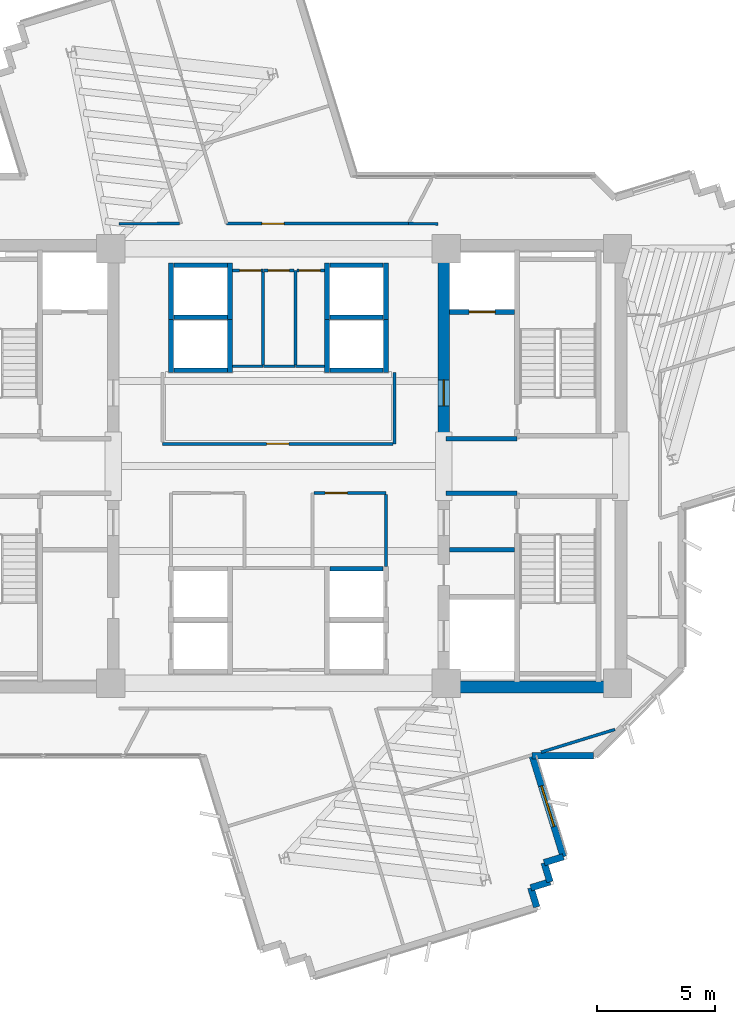
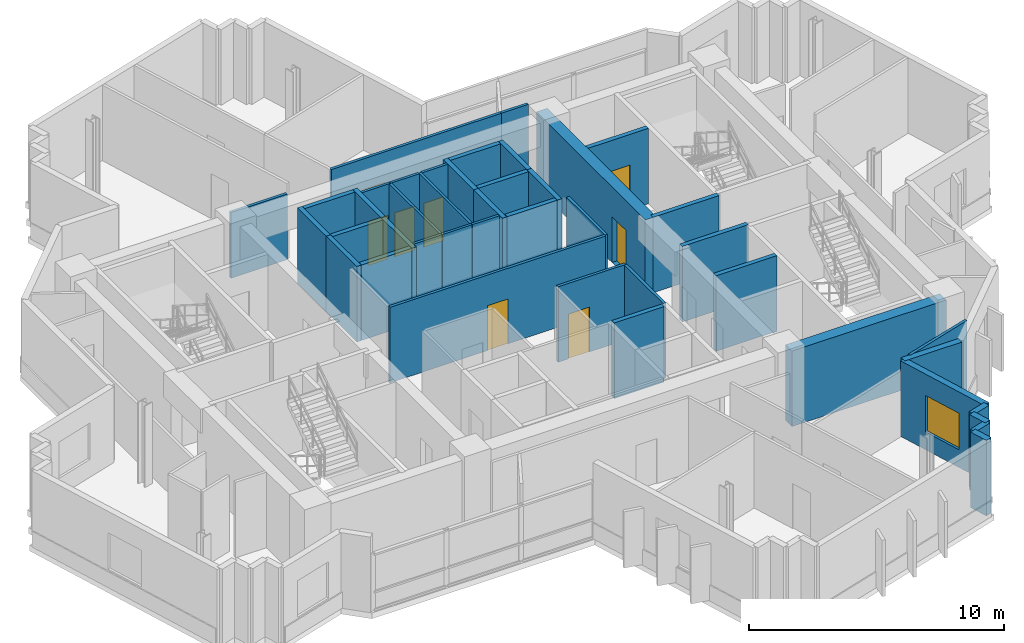
# One storey, part 7 of 13: 43 walls, 8 doors, 1 window, 9 openings.
"""IFC4 building model written with IfcOpenShell, lengths in metres."""

from ifc_helpers import new_model, si_unit, direction, frame, frame_2d, origin, place, context, subcontext, project, spatial, rectangle, extrude, source, transform, mapped, material, layer, layer_set, type_object, element, fill, save


model = new_model("IFC4")

# Units and contexts
model_context = context("Model", 3, precision=1e-05, world=origin(), true_north=direction((0.0, 1.0)))
body_context = subcontext(model_context, "Body", "Model", "MODEL_VIEW")
ifc_project = project(units=[si_unit("LENGTHUNIT", "METRE"), si_unit("AREAUNIT", "SQUARE_METRE"), si_unit("VOLUMEUNIT", "CUBIC_METRE"), si_unit("PLANEANGLEUNIT", "RADIAN"), si_unit("MASSUNIT", "GRAM", prefix="KILO")], contexts=[model_context])

# Site, building, storey
site_placement = place(None, origin())
site = spatial("IfcSite", under=ifc_project, at=site_placement, CompositionType="ELEMENT")
building_placement = place(site_placement, origin())
building = spatial("IfcBuilding", under=site, at=building_placement, Name="Zahravan Cultural Tower", CompositionType="ELEMENT")
storey_placement = place(building_placement, frame((0.0, 0.0, 213.60009765625)))
storey = spatial("IfcBuildingStorey", under=building, at=storey_placement, Name="L50", CompositionType="ELEMENT", Elevation=213.60009765625)

# Wall, opening, door
ifc_material_1 = material(Name="Concrete C60/75", Category="concrete")
ifc_layer_1 = layer(ifc_material_1, 0.5)
ifc_layer_set_1 = layer_set([ifc_layer_1], Name="Concrete C60/75")
wall_type_1 = type_object("IfcWallType", Name="CW-SHEAR-500-C60", PredefinedType="SHEAR", material=ifc_layer_set_1)
wall_1_placement = place(storey_placement, frame((43.0, 28.050048828125, 0.0), z_axis=(0.0, 0.0, 1.0), x_axis=(0.0, 1.0, 0.0)))
wall_1 = element("IfcWall", 1, at=wall_1_placement, inside=storey, type_object=wall_type_1, Name="L50 Core Shear Wall CW-E-WN-L50", PredefinedType="SHEAR", context=body_context, shape_type="SweptSolid", body=[
    extrude(rectangle(XDim=8.550048828125, YDim=0.5, at=frame_2d((4.27490234375, 0.0))), origin(), (0.0, 0.0, 1.0), 3.619873046875),
])
opening_1_placement = place(wall_1_placement, frame((1.5, 0.0, 0.0)))
opening_1 = element("IfcOpeningElement", 2, at=opening_1_placement, cuts=wall_1, Name="Opening D-L50-06", PredefinedType="OPENING", context=body_context, shape_type="SweptSolid", body=[
    extrude(rectangle(XDim=1.10009765625, YDim=2.199951171875, at=frame_2d((0.550048828125, 1.10009765625))), frame((0.0, 0.260009765625, 0.0), z_axis=(0.0, -1.0, 0.0), x_axis=(1.0, 0.0, 0.0)), (0.0, 0.0, 1.0), 0.52001953125),
])
ifc_material_2 = material(Name="Steel ASTM A572 Grade 50", Category="steel")
door_type_1 = type_object("IfcDoorType", Name="DR-LOBBY-1100", OperationType="NOTDEFINED", PredefinedType="DOOR", material=ifc_material_2)
shared_shape_1 = source(origin(), body_context, "Body", "SweptSolid", [
    extrude(rectangle(XDim=1.10009765625, YDim=2.199951171875, at=frame_2d((0.550048828125, 1.10009765625))), frame((0.0, 0.02490234375, 0.0), z_axis=(0.0, -1.0, 0.0), x_axis=(1.0, 0.0, 0.0)), (0.0, 0.0, 1.0), 0.050048828125),
])
door_1_placement = place(opening_1_placement, origin())
door_1 = element("IfcDoor", 3, at=door_1_placement, inside=storey, type_object=door_type_1, Name="L50 Door D-L50-06", OperationType="SINGLE_SWING_LEFT", OverallHeight=2.199951171875, OverallWidth=1.10009765625, PredefinedType="DOOR", context=body_context, shape_type="MappedRepresentation", body=[
    mapped(shared_shape_1, transform((0.0, 0.0, 0.0), x_axis=(1.0, 0.0, 0.0), y_axis=(0.0, 1.0, 0.0), z_axis=(0.0, 0.0, 1.0), scale=1.0)),
])
fill(opening_1, door_1)

# Wall, opening, window
ifc_material_3 = material(Name="Precast concrete C40/50", Category="concrete")
ifc_layer_2 = layer(ifc_material_3, 0.280029296875)
ifc_layer_set_2 = layer_set([ifc_layer_2], Name="Precast concrete C40/50")
wall_type_2 = type_object("IfcWallType", Name="EW-TC-280", PredefinedType="SOLIDWALL", material=ifc_layer_set_2)
wall_2_placement = place(storey_placement, frame((46.73974609375, 14.739990234375, 0.0), z_axis=(0.0, 0.0, 1.0), x_axis=(0.294009328951, -0.95580254995, 0.0)))
wall_2 = element("IfcWall", 4, at=wall_2_placement, inside=storey, type_object=wall_type_2, Name="L50 Exterior Masonry Frame Wall 15", PredefinedType="SOLIDWALL", context=body_context, shape_type="SweptSolid", body=[
    extrude(rectangle(XDim=4.484130859375, YDim=0.280029296875, at=frame_2d((2.2421875, 0.0))), origin(), (0.0, 0.0, 1.0), 3.619873046875),
])
opening_2_placement = place(wall_2_placement, frame((1.342041015625, 0.0, 0.85009765625)))
opening_2 = element("IfcOpeningElement", 5, at=opening_2_placement, cuts=wall_2, Name="Opening WN-02", PredefinedType="OPENING", context=body_context, shape_type="SweptSolid", body=[
    extrude(rectangle(XDim=1.800048828125, YDim=1.75, at=frame_2d((0.89990234375, 0.875))), frame((0.0, 0.14990234375, 0.0), z_axis=(0.0, -1.0, 0.0), x_axis=(1.0, 0.0, 0.0)), (0.0, 0.0, 1.0), 0.300048828125),
])
ifc_material_4 = material(Name="Low-E solar-control double glazing", Category="glass")
window_type = type_object("IfcWindowType", Name="WN-REC-1800X1750", PartitioningType="DOUBLE_PANEL_VERTICAL", PredefinedType="WINDOW", material=ifc_material_4)
shared_shape_2 = source(origin(), body_context, "Body", "SweptSolid", [
    extrude(rectangle(XDim=1.800048828125, YDim=1.75, at=frame_2d((0.89990234375, 0.875))), frame((0.0, 0.030029296875, 0.0), z_axis=(0.0, -1.0, 0.0), x_axis=(1.0, 0.0, 0.0)), (0.0, 0.0, 1.0), 0.06005859375),
])
window_placement = place(opening_2_placement, origin())
window = element("IfcWindow", 6, at=window_placement, inside=storey, type_object=window_type, Name="L50 Recessed Solar Window 04", OverallHeight=1.75, OverallWidth=1.800048828125, PartitioningType="DOUBLE_PANEL_VERTICAL", PredefinedType="WINDOW", context=body_context, shape_type="MappedRepresentation", body=[
    mapped(shared_shape_2, transform((0.0, 0.0, 0.0), x_axis=(1.0, 0.0, 0.0), y_axis=(0.0, 1.0, 0.0), z_axis=(0.0, 0.0, 1.0), scale=1.0)),
])
fill(opening_2, window)

# Wall, opening, door
ifc_material_5 = material(Name="Gypsum plasterboard partition")
ifc_layer_3 = layer(ifc_material_5, 0.125)
ifc_layer_set_3 = layer_set([ifc_layer_3], Name="Gypsum plasterboard partition")
wall_type_3 = type_object("IfcWallType", Name="W-PART-125", PredefinedType="PARTITIONING", material=ifc_layer_set_3)
wall_3_placement = place(storey_placement, frame((37.507568359375, 25.860107421875, 0.0), z_axis=(0.0, 0.0, 1.0), x_axis=(1.0, 0.0, 0.0)))
wall_3 = element("IfcWall", 7, at=wall_3_placement, inside=storey, type_object=wall_type_3, Name="L50 Interior Wall 070", PredefinedType="PARTITIONING", context=body_context, shape_type="SweptSolid", body=[
    extrude(rectangle(XDim=3.052490234375, YDim=0.125, at=frame_2d((1.5263671875, 0.0))), origin(), (0.0, 0.0, 1.0), 3.619873046875),
])
opening_3_placement = place(wall_3_placement, frame((0.462646484375, 0.0, 0.0)))
opening_3 = element("IfcOpeningElement", 8, at=opening_3_placement, cuts=wall_3, Name="Opening D-L50-12", PredefinedType="OPENING", context=body_context, shape_type="SweptSolid", body=[
    extrude(rectangle(XDim=0.949951171875, YDim=2.14990234375, at=frame_2d((0.47509765625, 1.074951171875))), frame((0.0, 0.072509765625, 0.0), z_axis=(0.0, -1.0, 0.0), x_axis=(1.0, 0.0, 0.0)), (0.0, 0.0, 1.0), 0.14501953125),
])
ifc_material_6 = material(Name="Anodised bronze-aluminium mullion", Category="aluminium")
door_type_2 = type_object("IfcDoorType", Name="DR-ROOM-950", OperationType="NOTDEFINED", PredefinedType="DOOR", material=ifc_material_6)
shared_shape_3 = source(origin(), body_context, "Body", "SweptSolid", [
    extrude(rectangle(XDim=0.949951171875, YDim=2.14990234375, at=frame_2d((0.47509765625, 1.074951171875))), frame((0.0, 0.02490234375, 0.0), z_axis=(0.0, -1.0, 0.0), x_axis=(1.0, 0.0, 0.0)), (0.0, 0.0, 1.0), 0.050048828125),
])
door_2_placement = place(opening_3_placement, origin())
door_2 = element("IfcDoor", 9, at=door_2_placement, inside=storey, type_object=door_type_2, Name="L50 Door D-L50-12", OperationType="SINGLE_SWING_LEFT", OverallHeight=2.14990234375, OverallWidth=0.949951171875, PredefinedType="DOOR", context=body_context, shape_type="MappedRepresentation", body=[
    mapped(shared_shape_3, transform((0.0, 0.0, 0.0), x_axis=(1.0, 0.0, 0.0), y_axis=(0.0, 1.0, 0.0), z_axis=(0.0, 0.0, 1.0), scale=1.0)),
])
fill(opening_3, door_2)

wall_4_placement = place(storey_placement, frame((41.51025390625, 37.260009765625, 0.0), z_axis=(0.0, 0.0, 1.0), x_axis=(-1.0, 0.0, 0.0)))
wall_4 = element("IfcWall", 10, at=wall_4_placement, inside=storey, type_object=wall_type_3, Name="L50 Interior Wall 078", PredefinedType="PARTITIONING", context=body_context, shape_type="SweptSolid", body=[
    extrude(rectangle(XDim=7.7041015625, YDim=0.125, at=frame_2d((3.85205078125, 0.0))), origin(), (0.0, 0.0, 1.0), 3.619873046875),
])
opening_4_placement = place(wall_4_placement, frame((5.26806640625, 0.0, 0.0)))
opening_4 = element("IfcOpeningElement", 11, at=opening_4_placement, cuts=wall_4, Name="Opening D-L50-21", PredefinedType="OPENING", context=body_context, shape_type="SweptSolid", body=[
    extrude(rectangle(XDim=0.949951171875, YDim=2.14990234375, at=frame_2d((0.47509765625, 1.074951171875))), frame((0.0, 0.072509765625, 0.0), z_axis=(0.0, -1.0, 0.0), x_axis=(1.0, 0.0, 0.0)), (0.0, 0.0, 1.0), 0.14501953125),
])
door_3_placement = place(opening_4_placement, origin())
door_3 = element("IfcDoor", 12, at=door_3_placement, inside=storey, type_object=door_type_2, Name="L50 Door D-L50-21", OperationType="SINGLE_SWING_RIGHT", OverallHeight=2.14990234375, OverallWidth=0.949951171875, PredefinedType="DOOR", context=body_context, shape_type="MappedRepresentation", body=[
    mapped(shared_shape_3, transform((0.0, 0.0, 0.0), x_axis=(1.0, 0.0, 0.0), y_axis=(0.0, 1.0, 0.0), z_axis=(0.0, 0.0, 1.0), scale=1.0)),
])
fill(opening_4, door_3)

wall_5_placement = place(storey_placement, frame((40.8525390625, 27.93994140625, 0.0), z_axis=(0.0, 0.0, 1.0), x_axis=(-1.0, 0.0, 0.0)))
wall_5 = element("IfcWall", 13, at=wall_5_placement, inside=storey, type_object=wall_type_3, Name="L50 Interior Wall 088", PredefinedType="PARTITIONING", context=body_context, shape_type="SweptSolid", body=[
    extrude(rectangle(XDim=9.7724609375, YDim=0.125, at=frame_2d((4.88623046875, 0.0))), origin(), (0.0, 0.0, 1.0), 3.619873046875),
])
opening_5_placement = place(wall_5_placement, frame((4.411376953125, 0.0, 0.0)))
opening_5 = element("IfcOpeningElement", 14, at=opening_5_placement, cuts=wall_5, Name="Opening D-L50-16", PredefinedType="OPENING", context=body_context, shape_type="SweptSolid", body=[
    extrude(rectangle(XDim=0.949951171875, YDim=2.14990234375, at=frame_2d((0.47509765625, 1.074951171875))), frame((0.0, 0.072509765625, 0.0), z_axis=(0.0, -1.0, 0.0), x_axis=(1.0, 0.0, 0.0)), (0.0, 0.0, 1.0), 0.14501953125),
])
door_4_placement = place(opening_5_placement, origin())
door_4 = element("IfcDoor", 15, at=door_4_placement, inside=storey, type_object=door_type_2, Name="L50 Door D-L50-16", OperationType="SINGLE_SWING_LEFT", OverallHeight=2.14990234375, OverallWidth=0.949951171875, PredefinedType="DOOR", context=body_context, shape_type="MappedRepresentation", body=[
    mapped(shared_shape_3, transform((0.0, 0.0, 0.0), x_axis=(1.0, 0.0, 0.0), y_axis=(0.0, 1.0, 0.0), z_axis=(0.0, 0.0, 1.0), scale=1.0)),
])
fill(opening_5, door_4)

ifc_material_7 = material(Name="Concrete C45/55", Category="concrete")
ifc_layer_4 = layer(ifc_material_7, 0.199951171875)
ifc_layer_set_4 = layer_set([ifc_layer_4], Name="Concrete C45/55")
wall_type_4 = type_object("IfcWallType", Name="W-SHAFT-200", PredefinedType="SOLIDWALL", material=ifc_layer_set_4)
wall_6_placement = place(storey_placement, frame((43.25, 33.52001953125, 0.0), z_axis=(0.0, 0.0, 1.0), x_axis=(1.0, 0.0, 0.0)))
wall_6 = element("IfcWall", 16, at=wall_6_placement, inside=storey, type_object=wall_type_4, Name="L50 Interior Wall 022", PredefinedType="SOLIDWALL", context=body_context, shape_type="SweptSolid", body=[
    extrude(rectangle(XDim=2.75, YDim=0.199951171875, at=frame_2d((1.375, 0.0))), origin(), (0.0, 0.0, 1.0), 3.619873046875),
])
opening_6_placement = place(wall_6_placement, frame((0.820068359375, 0.0, 0.0)))
opening_6 = element("IfcOpeningElement", 17, at=opening_6_placement, cuts=wall_6, Name="Opening LD-L50-02", PredefinedType="OPENING", context=body_context, shape_type="SweptSolid", body=[
    extrude(rectangle(XDim=1.10009765625, YDim=2.14990234375, at=frame_2d((0.550048828125, 1.074951171875))), frame((0.0, 0.10986328125, 0.0), z_axis=(0.0, -1.0, 0.0), x_axis=(1.0, 0.0, 0.0)), (0.0, 0.0, 1.0), 0.219970703125),
])
door_type_3 = type_object("IfcDoorType", Name="DR-LIFT-1100", OperationType="DOUBLE_DOOR_SLIDING", PredefinedType="DOOR", material=ifc_material_2)
shared_shape_4 = source(origin(), body_context, "Body", "SweptSolid", [
    extrude(rectangle(XDim=1.10009765625, YDim=2.14990234375, at=frame_2d((0.550048828125, 1.074951171875))), frame((0.0, 0.02490234375, 0.0), z_axis=(0.0, -1.0, 0.0), x_axis=(1.0, 0.0, 0.0)), (0.0, 0.0, 1.0), 0.050048828125),
])
door_5_placement = place(opening_6_placement, origin())
door_5 = element("IfcDoor", 18, at=door_5_placement, inside=storey, type_object=door_type_3, Name="L50 Door LD-L50-02", OperationType="DOUBLE_DOOR_SLIDING", OverallHeight=2.14990234375, OverallWidth=1.10009765625, PredefinedType="DOOR", context=body_context, shape_type="MappedRepresentation", body=[
    mapped(shared_shape_4, transform((0.0, 0.0, 0.0), x_axis=(1.0, 0.0, 0.0), y_axis=(0.0, 1.0, 0.0), z_axis=(0.0, 0.0, 1.0), scale=1.0)),
])
fill(opening_6, door_5)

ifc_layer_5 = layer(ifc_material_5, 0.114990234375)
ifc_layer_set_5 = layer_set([ifc_layer_5], Name="Gypsum plasterboard partition")
wall_type_5 = type_object("IfcWallType", Name="W-WC-115", PredefinedType="PARTITIONING", material=ifc_layer_set_5)
wall_7_placement = place(storey_placement, frame((36.782470703125, 35.280029296875, 0.0), z_axis=(0.0, 0.0, 1.0), x_axis=(1.0, 0.0, 0.0)))
wall_7 = element("IfcWall", 19, at=wall_7_placement, inside=storey, type_object=wall_type_5, Name="L50 Interior Wall 056", PredefinedType="PARTITIONING", context=body_context, shape_type="SweptSolid", body=[
    extrude(rectangle(XDim=1.16259765625, YDim=0.114990234375, at=frame_2d((0.581298828125, 0.0))), origin(), (0.0, 0.0, 1.0), 3.619873046875),
])
opening_7_placement = place(wall_7_placement, frame((0.0888671875, 0.0, 0.0)))
opening_7 = element("IfcOpeningElement", 20, at=opening_7_placement, cuts=wall_7, Name="Opening D-L50-15", PredefinedType="OPENING", context=body_context, shape_type="SweptSolid", body=[
    extrude(rectangle(XDim=0.89990234375, YDim=2.10009765625, at=frame_2d((0.449951171875, 1.050048828125))), frame((0.0, 0.0673828125, 0.0), z_axis=(0.0, -1.0, 0.0), x_axis=(1.0, 0.0, 0.0)), (0.0, 0.0, 1.0), 0.135009765625),
])
door_type_4 = type_object("IfcDoorType", Name="DR-WC-900", OperationType="NOTDEFINED", PredefinedType="DOOR", material=ifc_material_6)
shared_shape_5 = source(origin(), body_context, "Body", "SweptSolid", [
    extrude(rectangle(XDim=0.89990234375, YDim=2.10009765625, at=frame_2d((0.449951171875, 1.050048828125))), frame((0.0, 0.02490234375, 0.0), z_axis=(0.0, -1.0, 0.0), x_axis=(1.0, 0.0, 0.0)), (0.0, 0.0, 1.0), 0.050048828125),
])
door_6_placement = place(opening_7_placement, origin())
door_6 = element("IfcDoor", 21, at=door_6_placement, inside=storey, type_object=door_type_4, Name="L50 Door D-L50-15", OperationType="SINGLE_SWING_RIGHT", OverallHeight=2.10009765625, OverallWidth=0.89990234375, PredefinedType="DOOR", context=body_context, shape_type="MappedRepresentation", body=[
    mapped(shared_shape_5, transform((0.0, 0.0, 0.0), x_axis=(1.0, 0.0, 0.0), y_axis=(0.0, 1.0, 0.0), z_axis=(0.0, 0.0, 1.0), scale=1.0)),
])
fill(opening_7, door_6)

wall_8_placement = place(storey_placement, frame((34.054931640625, 35.280029296875, 0.0), z_axis=(0.0, 0.0, 1.0), x_axis=(1.0, 0.0, 0.0)))
wall_8 = element("IfcWall", 22, at=wall_8_placement, inside=storey, type_object=wall_type_5, Name="L50 Interior Wall 058", PredefinedType="PARTITIONING", context=body_context, shape_type="SweptSolid", body=[
    extrude(rectangle(XDim=1.28515625, YDim=0.114990234375, at=frame_2d((0.642578125, 0.0))), origin(), (0.0, 0.0, 1.0), 3.619873046875),
])
opening_8_placement = place(wall_8_placement, frame((0.30029296875, 0.0, 0.0)))
opening_8 = element("IfcOpeningElement", 23, at=opening_8_placement, cuts=wall_8, Name="Opening D-L50-13", PredefinedType="OPENING", context=body_context, shape_type="SweptSolid", body=[
    extrude(rectangle(XDim=0.89990234375, YDim=2.10009765625, at=frame_2d((0.449951171875, 1.050048828125))), frame((0.0, 0.0673828125, 0.0), z_axis=(0.0, -1.0, 0.0), x_axis=(1.0, 0.0, 0.0)), (0.0, 0.0, 1.0), 0.135009765625),
])
door_7_placement = place(opening_8_placement, origin())
door_7 = element("IfcDoor", 24, at=door_7_placement, inside=storey, type_object=door_type_4, Name="L50 Door D-L50-13", OperationType="SINGLE_SWING_RIGHT", OverallHeight=2.10009765625, OverallWidth=0.89990234375, PredefinedType="DOOR", context=body_context, shape_type="MappedRepresentation", body=[
    mapped(shared_shape_5, transform((0.0, 0.0, 0.0), x_axis=(1.0, 0.0, 0.0), y_axis=(0.0, 1.0, 0.0), z_axis=(0.0, 0.0, 1.0), scale=1.0)),
])
fill(opening_8, door_7)

wall_9_placement = place(storey_placement, frame((35.360107421875, 35.280029296875, 0.0), z_axis=(0.0, 0.0, 1.0), x_axis=(1.0, 0.0, 0.0)))
wall_9 = element("IfcWall", 25, at=wall_9_placement, inside=storey, type_object=wall_type_5, Name="L50 Interior Wall 061", PredefinedType="PARTITIONING", context=body_context, shape_type="SweptSolid", body=[
    extrude(rectangle(XDim=1.29736328125, YDim=0.114990234375, at=frame_2d((0.648681640625, 0.0))), origin(), (0.0, 0.0, 1.0), 3.619873046875),
])
opening_9_placement = place(wall_9_placement, frame((0.19873046875, 0.0, 0.0)))
opening_9 = element("IfcOpeningElement", 26, at=opening_9_placement, cuts=wall_9, Name="Opening D-L50-14", PredefinedType="OPENING", context=body_context, shape_type="SweptSolid", body=[
    extrude(rectangle(XDim=0.89990234375, YDim=2.10009765625, at=frame_2d((0.449951171875, 1.050048828125))), frame((0.0, 0.0673828125, 0.0), z_axis=(0.0, -1.0, 0.0), x_axis=(1.0, 0.0, 0.0)), (0.0, 0.0, 1.0), 0.135009765625),
])
door_8_placement = place(opening_9_placement, origin())
door_8 = element("IfcDoor", 27, at=door_8_placement, inside=storey, type_object=door_type_4, Name="L50 Door D-L50-14", OperationType="SINGLE_SWING_LEFT", OverallHeight=2.10009765625, OverallWidth=0.89990234375, PredefinedType="DOOR", context=body_context, shape_type="MappedRepresentation", body=[
    mapped(shared_shape_5, transform((0.0, 0.0, 0.0), x_axis=(1.0, 0.0, 0.0), y_axis=(0.0, 1.0, 0.0), z_axis=(0.0, 0.0, 1.0), scale=1.0)),
])
fill(opening_9, door_8)

# Walls
shared_shape_6 = source(origin(), body_context, "Body", "SweptSolid", [
    extrude(rectangle(XDim=7.0, YDim=0.5, at=frame_2d((3.5, 0.0))), origin(), (0.0, 0.0, 1.0), 3.619873046875),
])
wall_10_placement = place(storey_placement, frame((43.25, 17.64990234375, 0.0), z_axis=(0.0, 0.0, 1.0), x_axis=(1.0, 0.0, 0.0)))
element("IfcWall", 28, at=wall_10_placement, inside=storey, type_object=wall_type_1, Name="L50 Core Shear Wall CW-E-S-L50", PredefinedType="SHEAR", context=body_context, shape_type="MappedRepresentation", body=[
    mapped(shared_shape_6, transform((0.0, 0.0, 0.0), x_axis=(1.0, 0.0, 0.0), y_axis=(0.0, 1.0, 0.0), z_axis=(0.0, 0.0, 1.0), scale=1.0)),
])
shared_shape_7 = source(origin(), body_context, "Body", "SweptSolid", [
    extrude(rectangle(XDim=0.85009765625, YDim=0.280029296875, at=frame_2d((0.425048828125, 0.0))), origin(), (0.0, 0.0, 1.0), 3.619873046875),
])
for number, where, z_axis, x_axis, name in (
    (29, (47.245849609375, 10.204345703125, 0.0), (0.0, 0.0, 1.0), (0.293823460726, -0.955859704102, 0.0), "L50 Exterior Masonry Frame Wall 17"),
    (30, (46.683349609375, 9.141845703125, 0.0), (0.0, 0.0, 1.0), (0.293823460726, -0.955859704102, 0.0), "L50 Exterior Masonry Frame Wall 19"),
):
    element("IfcWall", number, at=place(storey_placement, frame(where, z_axis=z_axis, x_axis=x_axis)), inside=storey, type_object=wall_type_2, Name=name, PredefinedType="SOLIDWALL", context=body_context, shape_type="MappedRepresentation", body=[
        mapped(shared_shape_7, transform((0.0, 0.0, 0.0), x_axis=(1.0, 0.0, 0.0), y_axis=(0.0, 1.0, 0.0), z_axis=(0.0, 0.0, 1.0), scale=1.0)),
    ])
shared_shape_8 = source(origin(), body_context, "Body", "SweptSolid", [
    extrude(rectangle(XDim=0.849853515625, YDim=0.280029296875, at=frame_2d((0.4248046875, 0.0))), origin(), (0.0, 0.0, 1.0), 3.619873046875),
])
for number, where, z_axis, x_axis, name in (
    (31, (48.05810546875, 10.4541015625, 0.0), (0.0, 0.0, 1.0), (-0.955834897765, -0.293904148005, 0.0), "L50 Exterior Masonry Frame Wall 16"),
    (32, (47.49560546875, 9.391845703125, 0.0), (0.0, 0.0, 1.0), (-0.95575416016, -0.294166594531, 0.0), "L50 Exterior Masonry Frame Wall 18"),
):
    element("IfcWall", number, at=place(storey_placement, frame(where, z_axis=z_axis, x_axis=x_axis)), inside=storey, type_object=wall_type_2, Name=name, PredefinedType="SOLIDWALL", context=body_context, shape_type="MappedRepresentation", body=[
        mapped(shared_shape_8, transform((0.0, 0.0, 0.0), x_axis=(1.0, 0.0, 0.0), y_axis=(0.0, 1.0, 0.0), z_axis=(0.0, 0.0, 1.0), scale=1.0)),
    ])
shared_shape_9 = source(origin(), body_context, "Body", "SweptSolid", [
    extrude(rectangle(XDim=2.602294921875, YDim=0.280029296875, at=frame_2d((1.30126953125, 0.0))), origin(), (0.0, 0.0, 1.0), 3.619873046875),
])
wall_11_placement = place(storey_placement, frame((49.342041015625, 14.739990234375, 0.0), z_axis=(0.0, 0.0, 1.0), x_axis=(-1.0, 0.0, 0.0)))
element("IfcWall", 33, at=wall_11_placement, inside=storey, type_object=wall_type_2, Name="L50 Exterior Masonry Frame Wall 14", PredefinedType="SOLIDWALL", context=body_context, shape_type="MappedRepresentation", body=[
    mapped(shared_shape_9, transform((0.0, 0.0, 0.0), x_axis=(1.0, 0.0, 0.0), y_axis=(0.0, 1.0, 0.0), z_axis=(0.0, 0.0, 1.0), scale=1.0)),
])
shared_shape_10 = source(origin(), body_context, "Body", "SweptSolid", [
    extrude(rectangle(XDim=3.0, YDim=0.199951171875, at=frame_2d((1.5, 0.0))), origin(), (0.0, 0.0, 1.0), 3.619873046875),
])
for number, where, z_axis, x_axis, name in (
    (34, (43.10009765625, 25.85009765625, 0.0), (0.0, 0.0, 1.0), (1.0, 0.0, 0.0), "L50 Interior Wall 013"),
    (35, (43.10009765625, 28.14990234375, 0.0), (0.0, 0.0, 1.0), (1.0, 0.0, 0.0), "L50 Interior Wall 015"),
):
    element("IfcWall", number, at=place(storey_placement, frame(where, z_axis=z_axis, x_axis=x_axis)), inside=storey, type_object=wall_type_4, Name=name, PredefinedType="SOLIDWALL", context=body_context, shape_type="MappedRepresentation", body=[
        mapped(shared_shape_10, transform((0.0, 0.0, 0.0), x_axis=(1.0, 0.0, 0.0), y_axis=(0.0, 1.0, 0.0), z_axis=(0.0, 0.0, 1.0), scale=1.0)),
    ])
shared_shape_11 = source(origin(), body_context, "Body", "SweptSolid", [
    extrude(rectangle(XDim=2.75, YDim=0.199951171875, at=frame_2d((1.375, 0.0))), origin(), (0.0, 0.0, 1.0), 3.619873046875),
])
wall_12_placement = place(storey_placement, frame((43.25, 23.449951171875, 0.0), z_axis=(0.0, 0.0, 1.0), x_axis=(1.0, 0.0, 0.0)))
element("IfcWall", 36, at=wall_12_placement, inside=storey, type_object=wall_type_4, Name="L50 Interior Wall 024", PredefinedType="SOLIDWALL", context=body_context, shape_type="MappedRepresentation", body=[
    mapped(shared_shape_11, transform((0.0, 0.0, 0.0), x_axis=(1.0, 0.0, 0.0), y_axis=(0.0, 1.0, 0.0), z_axis=(0.0, 0.0, 1.0), scale=1.0)),
])
shared_shape_12 = source(origin(), body_context, "Body", "SweptSolid", [
    extrude(rectangle(XDim=2.400146484375, YDim=0.199951171875, at=frame_2d((1.2001953125, 0.0))), origin(), (0.0, 0.0, 1.0), 3.619873046875),
])
for number, where, z_axis, x_axis, name in (
    (37, (31.449951171875, 33.199951171875, 0.0), (0.0, 0.0, 1.0), (0.0, 1.0, 0.0), "L50 Interior Wall 026"),
    (38, (33.949951171875, 33.199951171875, 0.0), (0.0, 0.0, 1.0), (0.0, 1.0, 0.0), "L50 Interior Wall 027"),
    (39, (31.449951171875, 30.949951171875, 0.0), (0.0, 0.0, 1.0), (0.0, 1.0, 0.0), "L50 Interior Wall 030"),
    (40, (33.949951171875, 30.949951171875, 0.0), (0.0, 0.0, 1.0), (0.0, 1.0, 0.0), "L50 Interior Wall 031"),
    (41, (38.050048828125, 33.199951171875, 0.0), (0.0, 0.0, 1.0), (0.0, 1.0, 0.0), "L50 Interior Wall 033"),
    (42, (40.550048828125, 33.199951171875, 0.0), (0.0, 0.0, 1.0), (0.0, 1.0, 0.0), "L50 Interior Wall 034"),
    (43, (38.050048828125, 30.949951171875, 0.0), (0.0, 0.0, 1.0), (0.0, 1.0, 0.0), "L50 Interior Wall 037"),
    (44, (40.550048828125, 30.949951171875, 0.0), (0.0, 0.0, 1.0), (0.0, 1.0, 0.0), "L50 Interior Wall 038"),
):
    element("IfcWall", number, at=place(storey_placement, frame(where, z_axis=z_axis, x_axis=x_axis)), inside=storey, type_object=wall_type_4, Name=name, PredefinedType="SOLIDWALL", context=body_context, shape_type="MappedRepresentation", body=[
        mapped(shared_shape_12, transform((0.0, 0.0, 0.0), x_axis=(1.0, 0.0, 0.0), y_axis=(0.0, 1.0, 0.0), z_axis=(0.0, 0.0, 1.0), scale=1.0)),
    ])
shared_shape_13 = source(origin(), body_context, "Body", "SweptSolid", [
    extrude(rectangle(XDim=2.260009765625, YDim=0.199951171875, at=frame_2d((1.1298828125, 0.0))), origin(), (0.0, 0.0, 1.0), 3.619873046875),
])
for number, where, z_axis, x_axis, name in (
    (45, (31.570068359375, 33.300048828125, 0.0), (0.0, 0.0, 1.0), (1.0, 0.0, 0.0), "L50 Interior Wall 028"),
    (46, (31.570068359375, 35.5, 0.0), (0.0, 0.0, 1.0), (1.0, 0.0, 0.0), "L50 Interior Wall 029"),
    (47, (31.570068359375, 31.050048828125, 0.0), (0.0, 0.0, 1.0), (1.0, 0.0, 0.0), "L50 Interior Wall 032"),
    (48, (38.169921875, 33.300048828125, 0.0), (0.0, 0.0, 1.0), (1.0, 0.0, 0.0), "L50 Interior Wall 035"),
    (49, (38.169921875, 35.5, 0.0), (0.0, 0.0, 1.0), (1.0, 0.0, 0.0), "L50 Interior Wall 036"),
    (50, (38.169921875, 31.050048828125, 0.0), (0.0, 0.0, 1.0), (1.0, 0.0, 0.0), "L50 Interior Wall 039"),
    (51, (38.169921875, 22.64990234375, 0.0), (0.0, 0.0, 1.0), (1.0, 0.0, 0.0), "L50 Interior Wall 050"),
):
    element("IfcWall", number, at=place(storey_placement, frame(where, z_axis=z_axis, x_axis=x_axis)), inside=storey, type_object=wall_type_4, Name=name, PredefinedType="SOLIDWALL", context=body_context, shape_type="MappedRepresentation", body=[
        mapped(shared_shape_13, transform((0.0, 0.0, 0.0), x_axis=(1.0, 0.0, 0.0), y_axis=(0.0, 1.0, 0.0), z_axis=(0.0, 0.0, 1.0), scale=1.0)),
    ])
shared_shape_14 = source(origin(), body_context, "Body", "SweptSolid", [
    extrude(rectangle(XDim=1.22509765625, YDim=0.114990234375, at=frame_2d((0.612548828125, 0.0))), origin(), (0.0, 0.0, 1.0), 3.619873046875),
])
wall_13_placement = place(storey_placement, frame((37.945068359375, 31.219970703125, 0.0), z_axis=(0.0, 0.0, 1.0), x_axis=(-1.0, 0.0, 0.0)))
element("IfcWall", 52, at=wall_13_placement, inside=storey, type_object=wall_type_5, Name="L50 Interior Wall 054", PredefinedType="PARTITIONING", context=body_context, shape_type="MappedRepresentation", body=[
    mapped(shared_shape_14, transform((0.0, 0.0, 0.0), x_axis=(1.0, 0.0, 0.0), y_axis=(0.0, 1.0, 0.0), z_axis=(0.0, 0.0, 1.0), scale=1.0)),
])
shared_shape_15 = source(origin(), body_context, "Body", "SweptSolid", [
    extrude(rectangle(XDim=3.99755859375, YDim=0.114990234375, at=frame_2d((1.998779296875, 0.0))), origin(), (0.0, 0.0, 1.0), 3.619873046875),
])
wall_14_placement = place(storey_placement, frame((36.719970703125, 31.282470703125, 0.0), z_axis=(0.0, 0.0, 1.0), x_axis=(0.0, 1.0, 0.0)))
element("IfcWall", 53, at=wall_14_placement, inside=storey, type_object=wall_type_5, Name="L50 Interior Wall 055", PredefinedType="PARTITIONING", context=body_context, shape_type="MappedRepresentation", body=[
    mapped(shared_shape_15, transform((0.0, 0.0, 0.0), x_axis=(1.0, 0.0, 0.0), y_axis=(0.0, 1.0, 0.0), z_axis=(0.0, 0.0, 1.0), scale=1.0)),
])
shared_shape_16 = source(origin(), body_context, "Body", "SweptSolid", [
    extrude(rectangle(XDim=1.28515625, YDim=0.114990234375, at=frame_2d((0.642578125, 0.0))), origin(), (0.0, 0.0, 1.0), 3.619873046875),
])
wall_15_placement = place(storey_placement, frame((35.340087890625, 31.219970703125, 0.0), z_axis=(0.0, 0.0, 1.0), x_axis=(-1.0, 0.0, 0.0)))
element("IfcWall", 54, at=wall_15_placement, inside=storey, type_object=wall_type_5, Name="L50 Interior Wall 057", PredefinedType="PARTITIONING", context=body_context, shape_type="MappedRepresentation", body=[
    mapped(shared_shape_16, transform((0.0, 0.0, 0.0), x_axis=(1.0, 0.0, 0.0), y_axis=(0.0, 1.0, 0.0), z_axis=(0.0, 0.0, 1.0), scale=1.0)),
])
shared_shape_17 = source(origin(), body_context, "Body", "SweptSolid", [
    extrude(rectangle(XDim=3.93505859375, YDim=0.114990234375, at=frame_2d((1.967529296875, 0.0))), origin(), (0.0, 0.0, 1.0), 3.619873046875),
])
wall_16_placement = place(storey_placement, frame((35.340087890625, 35.217529296875, 0.0), z_axis=(0.0, 0.0, 1.0), x_axis=(0.0, -1.0, 0.0)))
element("IfcWall", 55, at=wall_16_placement, inside=storey, type_object=wall_type_5, Name="L50 Interior Wall 059", PredefinedType="PARTITIONING", context=body_context, shape_type="MappedRepresentation", body=[
    mapped(shared_shape_17, transform((0.0, 0.0, 0.0), x_axis=(1.0, 0.0, 0.0), y_axis=(0.0, 1.0, 0.0), z_axis=(0.0, 0.0, 1.0), scale=1.0)),
])
shared_shape_18 = source(origin(), body_context, "Body", "SweptSolid", [
    extrude(rectangle(XDim=1.33984375, YDim=0.114990234375, at=frame_2d((0.669921875, 0.0))), origin(), (0.0, 0.0, 1.0), 3.619873046875),
])
wall_17_placement = place(storey_placement, frame((36.699951171875, 31.219970703125, 0.0), z_axis=(0.0, 0.0, 1.0), x_axis=(-1.0, 0.0, 0.0)))
element("IfcWall", 56, at=wall_17_placement, inside=storey, type_object=wall_type_5, Name="L50 Interior Wall 060", PredefinedType="PARTITIONING", context=body_context, shape_type="MappedRepresentation", body=[
    mapped(shared_shape_18, transform((0.0, 0.0, 0.0), x_axis=(1.0, 0.0, 0.0), y_axis=(0.0, 1.0, 0.0), z_axis=(0.0, 0.0, 1.0), scale=1.0)),
])
shared_shape_19 = source(origin(), body_context, "Body", "SweptSolid", [
    extrude(rectangle(XDim=3.04248046875, YDim=0.125, at=frame_2d((1.521240234375, 0.0))), origin(), (0.0, 0.0, 1.0), 3.619873046875),
])
wall_18_placement = place(storey_placement, frame((40.56005859375, 25.79248046875, 0.0), z_axis=(0.0, 0.0, 1.0), x_axis=(0.0, -1.0, 0.0)))
element("IfcWall", 57, at=wall_18_placement, inside=storey, type_object=wall_type_3, Name="L50 Interior Wall 071", PredefinedType="PARTITIONING", context=body_context, shape_type="MappedRepresentation", body=[
    mapped(shared_shape_19, transform((0.0, 0.0, 0.0), x_axis=(1.0, 0.0, 0.0), y_axis=(0.0, 1.0, 0.0), z_axis=(0.0, 0.0, 1.0), scale=1.0)),
])
shared_shape_20 = source(origin(), body_context, "Body", "SweptSolid", [
    extrude(rectangle(XDim=3.010009765625, YDim=0.125, at=frame_2d((1.5048828125, 0.0))), origin(), (0.0, 0.0, 1.0), 3.619873046875),
])
wall_19_placement = place(storey_placement, frame((40.919921875, 30.949951171875, 0.0), z_axis=(0.0, 0.0, 1.0), x_axis=(0.0, -1.0, 0.0)))
element("IfcWall", 58, at=wall_19_placement, inside=storey, type_object=wall_type_3, Name="L50 Interior Wall 087", PredefinedType="PARTITIONING", context=body_context, shape_type="MappedRepresentation", body=[
    mapped(shared_shape_20, transform((0.0, 0.0, 0.0), x_axis=(1.0, 0.0, 0.0), y_axis=(0.0, 1.0, 0.0), z_axis=(0.0, 0.0, 1.0), scale=1.0)),
])
shared_shape_21 = source(origin(), body_context, "Body", "SweptSolid", [
    extrude(rectangle(XDim=3.26806640625, YDim=0.125, at=frame_2d((1.634033203125, 0.0))), origin(), (0.0, 0.0, 1.0), 3.619873046875),
])
wall_20_placement = place(storey_placement, frame((50.241455078125, 15.844482421875, 0.0), z_axis=(0.0, 0.0, 1.0), x_axis=(-0.955791929964, -0.294043851519, 0.0)))
element("IfcWall", 59, at=wall_20_placement, inside=storey, type_object=wall_type_3, Name="L50 Interior Wall 076", PredefinedType="PARTITIONING", context=body_context, shape_type="MappedRepresentation", body=[
    mapped(shared_shape_21, transform((0.0, 0.0, 0.0), x_axis=(1.0, 0.0, 0.0), y_axis=(0.0, 1.0, 0.0), z_axis=(0.0, 0.0, 1.0), scale=1.0)),
])
shared_shape_22 = source(origin(), body_context, "Body", "SweptSolid", [
    extrude(rectangle(XDim=1.238037109375, YDim=0.125, at=frame_2d((0.619140625, 0.0))), origin(), (0.0, 0.0, 1.0), 3.619873046875),
])
wall_21_placement = place(storey_placement, frame((42.748291015625, 37.25732421875, 0.0), z_axis=(0.0, 0.0, 1.0), x_axis=(-0.9999976473, 0.002169192293, 0.0)))
element("IfcWall", 60, at=wall_21_placement, inside=storey, type_object=wall_type_3, Name="L50 Interior Wall 096", PredefinedType="PARTITIONING", context=body_context, shape_type="MappedRepresentation", body=[
    mapped(shared_shape_22, transform((0.0, 0.0, 0.0), x_axis=(1.0, 0.0, 0.0), y_axis=(0.0, 1.0, 0.0), z_axis=(0.0, 0.0, 1.0), scale=1.0)),
])
shared_shape_23 = source(origin(), body_context, "Body", "SweptSolid", [
    extrude(rectangle(XDim=2.555419921875, YDim=0.125, at=frame_2d((1.27783203125, 0.0))), origin(), (0.0, 0.0, 1.0), 3.14892578125),
])
wall_22_placement = place(storey_placement, frame((31.810302734375, 37.260009765625, 0.0), z_axis=(0.0, 0.0, 1.0), x_axis=(-0.999999885905, -0.000477691739, 0.0)))
element("IfcWall", 61, at=wall_22_placement, inside=storey, type_object=wall_type_3, Name="L50 Interior Wall 101", PredefinedType="PARTITIONING", context=body_context, shape_type="MappedRepresentation", body=[
    mapped(shared_shape_23, transform((0.0, 0.0, 0.0), x_axis=(1.0, 0.0, 0.0), y_axis=(0.0, 1.0, 0.0), z_axis=(0.0, 0.0, 1.0), scale=1.0)),
])

save(model, "model.ifc")
